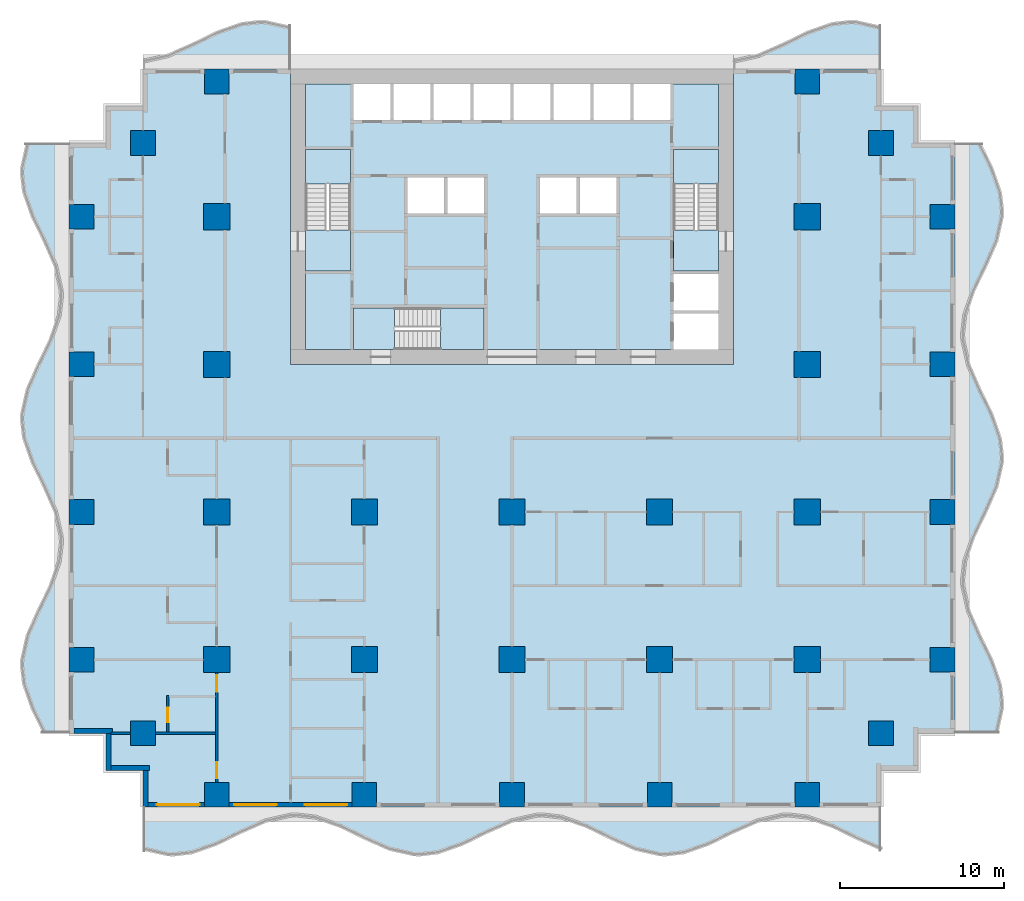
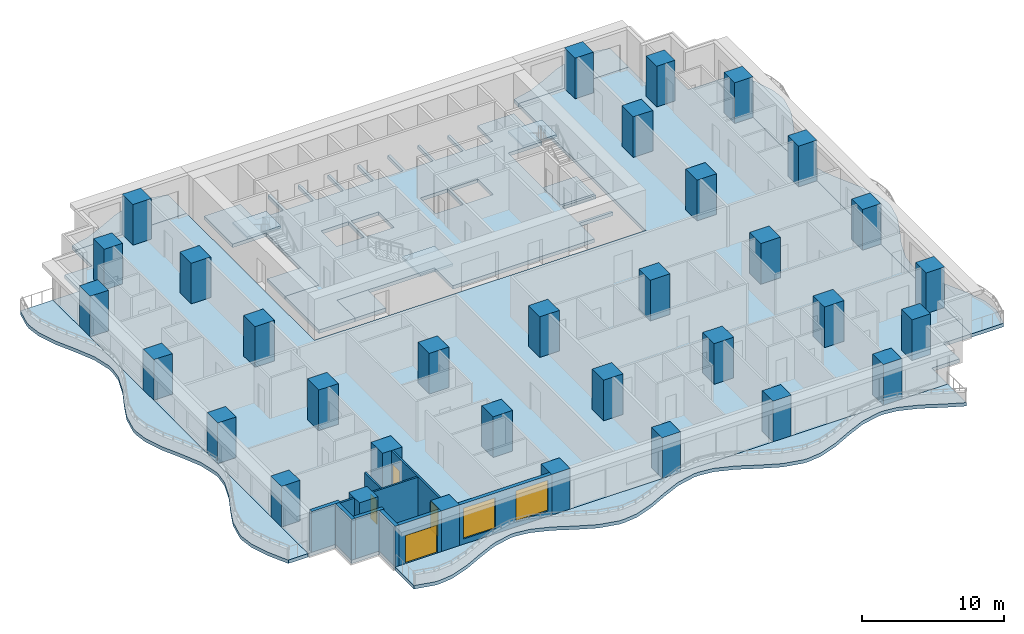
# One storey, part 1 of 14: 33 columns, 13 slabs, 10 walls, 4 doors, 2 windows, 6 openings, 3 elements without a shape of their own.
"""IFC4 building model written with IfcOpenShell, lengths in metres."""

from ifc_helpers import new_model, si_unit, direction, frame, frame_2d, origin, origin_2d, place, context, subcontext, project, spatial, polyline, rectangle, outline, extrude, material, layer, layer_set, material_profile, profile_set, type_object, element, fill, aggregate, save


model = new_model("IFC4")

# Units and contexts
model_context = context("Model", 3, precision=1e-05, world=origin(), true_north=direction((0.0, 1.0)))
body_context = subcontext(model_context, "Body", "Model", "MODEL_VIEW")
ifc_project = project(units=[si_unit("LENGTHUNIT", "METRE"), si_unit("AREAUNIT", "SQUARE_METRE"), si_unit("VOLUMEUNIT", "CUBIC_METRE"), si_unit("PLANEANGLEUNIT", "RADIAN"), si_unit("MASSUNIT", "GRAM", prefix="KILO")], contexts=[model_context])

# Site, building, storey
site_placement = place(None, origin())
site = spatial("IfcSite", under=ifc_project, at=site_placement, CompositionType="ELEMENT")
building_placement = place(site_placement, origin())
building = spatial("IfcBuilding", under=site, at=building_placement, Name="Orbiselva Terraces", CompositionType="ELEMENT")
storey_placement = place(building_placement, frame((0.0, 0.0, 18.8)))
storey = spatial("IfcBuildingStorey", under=building, at=storey_placement, Name="L04", CompositionType="ELEMENT", Elevation=18.8)

# Columns
ifc_material_1 = material(Name="Concrete C80/95", Category="concrete")
ifc_material_profile_1 = material_profile(ifc_material_1, rectangle(XDim=1.6, YDim=1.6, at=origin_2d()), Name="RC 1600x1600")
ifc_profile_set_1 = profile_set([ifc_material_profile_1], Name="Concrete C80/95")
column_type_1 = type_object("IfcColumnType", Name="COLUMN RC 1600x1600", PredefinedType="COLUMN", material=ifc_profile_set_1)
for number, where, z_axis, x_axis, name in (
    (1, (-18.0, -13.5, 0.0), (0.0, 0.0, 1.0), (1.0, 0.0, 0.0), "Column L04-01"),
    (2, (-18.0, -4.5, 0.0), (0.0, 0.0, 1.0), (1.0, 0.0, 0.0), "Column L04-03"),
    (3, (-18.0, 13.5, 0.0), (0.0, 0.0, 1.0), (1.0, 0.0, 0.0), "Column L04-04"),
    (4, (-18.0, 4.5, 0.0), (0.0, 0.0, 1.0), (1.0, 0.0, 0.0), "Column L04-06"),
    (5, (-9.0, -13.5, 0.0), (0.0, 0.0, 1.0), (1.0, 0.0, 0.0), "Column L04-13"),
    (6, (-9.0, -4.5, 0.0), (0.0, 0.0, 1.0), (1.0, 0.0, 0.0), "Column L04-15"),
    (7, (0.0, -13.5, 0.0), (0.0, 0.0, 1.0), (1.0, 0.0, 0.0), "Column L04-16"),
    (8, (0.0, -4.5, 0.0), (0.0, 0.0, 1.0), (1.0, 0.0, 0.0), "Column L04-18"),
    (9, (18.0, -13.5, 0.0), (0.0, 0.0, 1.0), (1.0, 0.0, 0.0), "Column L04-19"),
    (10, (18.0, -4.5, 0.0), (0.0, 0.0, 1.0), (1.0, 0.0, 0.0), "Column L04-21"),
    (11, (18.0, 13.5, 0.0), (0.0, 0.0, 1.0), (1.0, 0.0, 0.0), "Column L04-22"),
    (12, (18.0, 4.5, 0.0), (0.0, 0.0, 1.0), (1.0, 0.0, 0.0), "Column L04-24"),
    (13, (9.0, -13.5, 0.0), (0.0, 0.0, 1.0), (1.0, 0.0, 0.0), "Column L04-31"),
    (14, (9.0, -4.5, 0.0), (0.0, 0.0, 1.0), (1.0, 0.0, 0.0), "Column L04-33"),
):
    element("IfcColumn", number, at=place(storey_placement, frame(where, z_axis=z_axis, x_axis=x_axis)), inside=storey, type_object=column_type_1, Name=name, PredefinedType="COLUMN", context=body_context, shape_type="SweptSolid", body=[
        extrude(rectangle(XDim=1.6, YDim=1.6, at=origin_2d()), origin(), (0.0, 0.0, 1.0), 3.5),
    ])
ifc_material_profile_2 = material_profile(ifc_material_1, rectangle(XDim=1.5, YDim=1.5, at=origin_2d()), Name="RC 1500x1500")
ifc_profile_set_2 = profile_set([ifc_material_profile_2], Name="Concrete C80/95")
column_type_2 = type_object("IfcColumnType", Name="PERIMETER COLUMN RC 1500x1500", PredefinedType="COLUMN", material=ifc_profile_set_2)
for number, where, z_axis, x_axis, name in (
    (15, (-18.0, -21.75, 0.0), (0.0, 0.0, 1.0), (1.0, 0.0, 0.0), "Column L04-02"),
    (16, (-18.0, 21.75, 0.0), (0.0, 0.0, 1.0), (1.0, 0.0, 0.0), "Column L04-05"),
    (17, (-26.25, -13.5, 0.0), (0.0, 0.0, 1.0), (1.0, 0.0, 0.0), "Column L04-07"),
    (18, (-22.5, -18.0, 0.0), (0.0, 0.0, 1.0), (1.0, 0.0, 0.0), "Column L04-08"),
    (19, (-26.25, -4.5, 0.0), (0.0, 0.0, 1.0), (1.0, 0.0, 0.0), "Column L04-09"),
    (20, (-26.25, 13.5, 0.0), (0.0, 0.0, 1.0), (1.0, 0.0, 0.0), "Column L04-10"),
    (21, (-22.5, 18.0, 0.0), (0.0, 0.0, 1.0), (1.0, 0.0, 0.0), "Column L04-11"),
    (22, (-26.25, 4.5, 0.0), (0.0, 0.0, 1.0), (1.0, 0.0, 0.0), "Column L04-12"),
    (23, (-9.0, -21.75, 0.0), (0.0, 0.0, 1.0), (1.0, 0.0, 0.0), "Column L04-14"),
    (24, (0.0, -21.75, 0.0), (0.0, 0.0, 1.0), (1.0, 0.0, 0.0), "Column L04-17"),
    (25, (18.0, -21.75, 0.0), (0.0, 0.0, 1.0), (1.0, 0.0, 0.0), "Column L04-20"),
    (26, (18.0, 21.75, 0.0), (0.0, 0.0, 1.0), (1.0, 0.0, 0.0), "Column L04-23"),
    (27, (26.25, -13.5, 0.0), (0.0, 0.0, 1.0), (1.0, 0.0, 0.0), "Column L04-25"),
    (28, (22.5, -18.0, 0.0), (0.0, 0.0, 1.0), (1.0, 0.0, 0.0), "Column L04-26"),
    (29, (26.25, -4.5, 0.0), (0.0, 0.0, 1.0), (1.0, 0.0, 0.0), "Column L04-27"),
    (30, (26.25, 13.5, 0.0), (0.0, 0.0, 1.0), (1.0, 0.0, 0.0), "Column L04-28"),
    (31, (22.5, 18.0, 0.0), (0.0, 0.0, 1.0), (1.0, 0.0, 0.0), "Column L04-29"),
    (32, (26.25, 4.5, 0.0), (0.0, 0.0, 1.0), (1.0, 0.0, 0.0), "Column L04-30"),
    (33, (9.0, -21.75, 0.0), (0.0, 0.0, 1.0), (1.0, 0.0, 0.0), "Column L04-32"),
):
    element("IfcColumn", number, at=place(storey_placement, frame(where, z_axis=z_axis, x_axis=x_axis)), inside=storey, type_object=column_type_2, Name=name, PredefinedType="COLUMN", context=body_context, shape_type="SweptSolid", body=[
        extrude(rectangle(XDim=1.5, YDim=1.5, at=origin_2d()), origin(), (0.0, 0.0, 1.0), 3.5),
    ])

# Slabs
ifc_material_2 = material(Name="Concrete C40/50", Category="concrete")
ifc_layer_1 = layer(ifc_material_2, 0.3)
ifc_layer_set_1 = layer_set([ifc_layer_1], Name="Concrete C40/50")
slab_type_1 = type_object("IfcSlabType", Name="CORE-SLAB-FLOOR-300", PredefinedType="FLOOR", material=ifc_layer_set_1)
slab_1_placement = place(storey_placement, frame((0.0, 0.0, -0.3)))
element("IfcSlab", 34, at=slab_1_placement, inside=storey, type_object=slab_type_1, Name="L04 S1 floor landing", PredefinedType="FLOOR", context=body_context, shape_type="SweptSolid", body=[
    extrude(outline(polyline([(-12.6, 12.7), (-9.85, 12.7), (-9.85, 10.2), (-12.6, 10.2), (-12.6, 12.7)])), origin(), (0.0, 0.0, 1.0), 0.3),
])
slab_2_placement = place(storey_placement, frame((0.0, 0.0, -0.3)))
element("IfcSlab", 35, at=slab_2_placement, inside=storey, type_object=slab_type_1, Name="L04 S2 floor landing", PredefinedType="FLOOR", context=body_context, shape_type="SweptSolid", body=[
    extrude(outline(polyline([(12.6, 12.7), (12.6, 10.2), (9.85, 10.2), (9.85, 12.7), (12.6, 12.7)])), origin(), (0.0, 0.0, 1.0), 0.3),
])
slab_3_placement = place(storey_placement, frame((0.0, 0.0, -0.3)))
element("IfcSlab", 36, at=slab_3_placement, inside=storey, type_object=slab_type_1, Name="L04 S3 floor landing", PredefinedType="FLOOR", context=body_context, shape_type="SweptSolid", body=[
    extrude(outline(polyline([(-7.15, 5.4), (-9.65, 5.4), (-9.65, 7.95), (-7.15, 7.95), (-7.15, 5.4)])), origin(), (0.0, 0.0, 1.0), 0.3),
])
slab_4_placement = place(storey_placement, frame((0.0, 0.0, -0.3)))
element("IfcSlab", 37, at=slab_4_placement, inside=storey, type_object=slab_type_1, Name="L04 core floor slab 1", PredefinedType="FLOOR", context=body_context, shape_type="SweptSolid", body=[
    extrude(outline(polyline([(-1.7, 5.4), (-1.7, 7.95), (-9.65, 7.95), (-9.65, 5.4), (-12.6, 5.4), (-12.6, 10.2), (-9.85, 10.2), (-9.85, 17.6), (-12.6, 17.6), (-12.6, 21.6), (-9.65, 21.6), (-9.65, 19.4), (-7.4125, 19.4), (-7.4125, 21.6), (-7.2125, 21.6), (-7.2125, 19.4), (-4.975, 19.4), (-4.975, 21.6), (-4.775, 21.6), (-4.775, 19.4), (-2.5375, 19.4), (-2.5375, 21.6), (-2.3375, 21.6), (-2.3375, 19.4), (-0.1, 19.4), (-0.1, 21.6), (0.1, 21.6), (0.1, 19.4), (2.3375, 19.4), (2.3375, 21.6), (2.5375, 21.6), (2.5375, 19.4), (4.775, 19.4), (4.775, 21.6), (4.975, 21.6), (4.975, 19.4), (7.2125, 19.4), (7.2125, 21.6), (7.4125, 21.6), (7.4125, 19.4), (9.65, 19.4), (9.65, 21.6), (12.6, 21.6), (12.6, 17.6), (9.85, 17.6), (9.85, 10.2), (12.6, 10.2), (12.6, 10.0), (9.85, 10.0), (9.85, 7.8), (12.6, 7.8), (12.6, 7.6), (9.85, 7.6), (9.85, 5.4), (-1.7, 5.4)]), holes=[polyline([(-4.1375, 13.7), (-4.1375, 15.9), (-6.375, 15.9), (-6.375, 13.7), (-4.1375, 13.7)]), polyline([(-1.7, 13.7), (-1.7, 15.9), (-3.9375, 15.9), (-3.9375, 13.7), (-1.7, 13.7)]), polyline([(3.9375, 13.7), (3.9375, 15.9), (1.7, 15.9), (1.7, 13.7), (3.9375, 13.7)]), polyline([(6.375, 13.7), (6.375, 15.9), (4.1375, 15.9), (4.1375, 13.7), (6.375, 13.7)])]), origin(), (0.0, 0.0, 1.0), 0.3),
])

# Stair, slab
stair_type_1 = type_object("IfcStairType", Name="CORE-STAIR-1300", PredefinedType="HALF_TURN_STAIR", material=ifc_material_2)
stair_1_placement = place(storey_placement, origin())
stair_1 = element("IfcStair", 38, at=stair_1_placement, inside=storey, type_object=stair_type_1, Name="L04 Exit Stair S1", PredefinedType="HALF_TURN_STAIR")
ifc_layer_2 = layer(ifc_material_2, 0.2)
ifc_layer_set_2 = layer_set([ifc_layer_2], Name="Concrete C40/50")
slab_type_2 = type_object("IfcSlabType", Name="CORE-STAIR-LANDING-200", PredefinedType="LANDING", material=ifc_layer_set_2)
slab_5_placement = place(storey_placement, frame((0.0, 0.0, 1.7)))
slab_5 = element("IfcSlab", 39, at=slab_5_placement, type_object=slab_type_2, Name="S1 landing 1", PredefinedType="LANDING", context=body_context, shape_type="SweptSolid", body=[
    extrude(outline(polyline([(-9.85, 15.5), (-9.85, 17.6), (-12.6, 17.6), (-12.6, 15.5), (-9.85, 15.5)])), origin(), (0.0, 0.0, 1.0), 0.2),
])
aggregate(stair_1, [slab_5])

stair_2_placement = place(storey_placement, origin())
stair_2 = element("IfcStair", 40, at=stair_2_placement, inside=storey, type_object=stair_type_1, Name="L04 Exit Stair S2", PredefinedType="HALF_TURN_STAIR")
slab_6_placement = place(storey_placement, frame((0.0, 0.0, 1.7)))
slab_6 = element("IfcSlab", 41, at=slab_6_placement, type_object=slab_type_2, Name="S2 landing 1", PredefinedType="LANDING", context=body_context, shape_type="SweptSolid", body=[
    extrude(outline(polyline([(12.6, 15.5), (12.6, 17.6), (9.85, 17.6), (9.85, 15.5), (12.6, 15.5)])), origin(), (0.0, 0.0, 1.0), 0.2),
])
aggregate(stair_2, [slab_6])

stair_type_2 = type_object("IfcStairType", Name="CORE-STAIR-1200", PredefinedType="HALF_TURN_STAIR", material=ifc_material_2)
stair_3_placement = place(storey_placement, origin())
stair_3 = element("IfcStair", 42, at=stair_3_placement, inside=storey, type_object=stair_type_2, Name="L04 Exit Stair S3", PredefinedType="HALF_TURN_STAIR")
slab_7_placement = place(storey_placement, frame((0.0, 0.0, 1.7)))
slab_7 = element("IfcSlab", 43, at=slab_7_placement, type_object=slab_type_2, Name="S3 landing 1", PredefinedType="LANDING", context=body_context, shape_type="SweptSolid", body=[
    extrude(outline(polyline([(-4.35, 5.4), (-1.7, 5.4), (-1.7, 7.95), (-4.35, 7.95), (-4.35, 5.4)])), origin(), (0.0, 0.0, 1.0), 0.2),
])
aggregate(stair_3, [slab_7])

# Slabs
ifc_material_3 = material(Name="Concrete C50/60", Category="concrete")
ifc_layer_3 = layer(ifc_material_3, 0.3)
ifc_layer_set_3 = layer_set([ifc_layer_3], Name="Concrete C50/60")
slab_type_3 = type_object("IfcSlabType", Name="ENV-BALCONY-SLAB-300", PredefinedType="FLOOR", material=ifc_layer_set_3)
slab_8_placement = place(storey_placement, frame((0.0, 0.0, -0.3)))
element("IfcSlab", 44, at=slab_8_placement, inside=storey, type_object=slab_type_3, Name="Balcony slab L04 S", PredefinedType="FLOOR", context=body_context, shape_type="SweptSolid", body=[
    extrude(outline(polyline([(-22.5, -25.148528), (-21.0, -25.485226), (-20.625, -25.5), (-19.5, -25.369208), (-18.0, -24.844789), (-16.5, -24.112279), (-15.0, -23.451472), (-13.5, -23.114774), (-13.125, -23.1), (-12.0, -23.230792), (-10.5, -23.755211), (-9.0, -24.487721), (-7.5, -25.148528), (-6.0, -25.485226), (-5.625, -25.5), (-4.5, -25.369208), (-3.0, -24.844789), (-1.5, -24.112279), (0.0, -23.451472), (1.5, -23.114774), (1.875, -23.1), (3.0, -23.230792), (4.5, -23.755211), (6.0, -24.487721), (7.5, -25.148528), (9.0, -25.485226), (9.375, -25.5), (10.5, -25.369208), (12.0, -24.844789), (13.5, -24.112279), (15.0, -23.451472), (16.5, -23.114774), (16.875, -23.1), (18.0, -23.230792), (19.5, -23.755211), (21.0, -24.487721), (22.5, -25.148528), (22.5, -22.5), (-22.5, -22.5), (-22.5, -25.148528)])), origin(), (0.0, 0.0, 1.0), 0.3),
])
slab_9_placement = place(storey_placement, frame((0.0, 0.0, -0.3)))
element("IfcSlab", 45, at=slab_9_placement, inside=storey, type_object=slab_type_3, Name="Balcony slab L04 E", PredefinedType="FLOOR", context=body_context, shape_type="SweptSolid", body=[
    extrude(outline(polyline([(29.648528, -18.0), (29.985226, -16.5), (30.0, -16.125), (29.869208, -15.0), (29.344789, -13.5), (28.612279, -12.0), (27.951472, -10.5), (27.614774, -9.0), (27.6, -8.625), (27.730792, -7.5), (28.255211, -6.0), (28.987721, -4.5), (29.648528, -3.0), (29.985226, -1.5), (30.0, -1.125), (29.869208, 0.0), (29.344789, 1.5), (28.612279, 3.0), (27.951472, 4.5), (27.614774, 6.0), (27.6, 6.375), (27.730792, 7.5), (28.255211, 9.0), (28.987721, 10.5), (29.648528, 12.0), (29.985226, 13.5), (30.0, 13.875), (29.869208, 15.0), (29.344789, 16.5), (28.612279, 18.0), (27.0, 18.0), (27.0, -18.0), (29.648528, -18.0)])), origin(), (0.0, 0.0, 1.0), 0.3),
])
slab_10_placement = place(storey_placement, frame((0.0, 0.0, -0.3)))
element("IfcSlab", 46, at=slab_10_placement, inside=storey, type_object=slab_type_3, Name="Balcony slab L04 NE", PredefinedType="FLOOR", context=body_context, shape_type="SweptSolid", body=[
    extrude(outline(polyline([(22.5, 25.148528), (21.0, 25.485226), (20.625, 25.5), (19.5, 25.369208), (18.0, 24.844789), (16.5, 24.112279), (15.0, 23.451472), (13.5, 23.114774), (13.5, 22.5), (22.5, 22.5), (22.5, 25.148528)])), origin(), (0.0, 0.0, 1.0), 0.3),
])
slab_11_placement = place(storey_placement, frame((0.0, 0.0, -0.3)))
element("IfcSlab", 47, at=slab_11_placement, inside=storey, type_object=slab_type_3, Name="Balcony slab L04 NW", PredefinedType="FLOOR", context=body_context, shape_type="SweptSolid", body=[
    extrude(outline(polyline([(-13.5, 25.148528), (-15.0, 25.485226), (-15.375, 25.5), (-16.5, 25.369208), (-18.0, 24.844789), (-19.5, 24.112279), (-21.0, 23.451472), (-22.5, 23.114774), (-22.5, 22.5), (-13.5, 22.5), (-13.5, 25.148528)])), origin(), (0.0, 0.0, 1.0), 0.3),
])
slab_12_placement = place(storey_placement, frame((0.0, 0.0, -0.3)))
element("IfcSlab", 48, at=slab_12_placement, inside=storey, type_object=slab_type_3, Name="Balcony slab L04 W", PredefinedType="FLOOR", context=body_context, shape_type="SweptSolid", body=[
    extrude(outline(polyline([(-29.648528, 18.0), (-29.985226, 16.5), (-30.0, 16.125), (-29.869208, 15.0), (-29.344789, 13.5), (-28.612279, 12.0), (-27.951472, 10.5), (-27.614774, 9.0), (-27.6, 8.625), (-27.730792, 7.5), (-28.255211, 6.0), (-28.987721, 4.5), (-29.648528, 3.0), (-29.985226, 1.5), (-30.0, 1.125), (-29.869208, 0.0), (-29.344789, -1.5), (-28.612279, -3.0), (-27.951472, -4.5), (-27.614774, -6.0), (-27.6, -6.375), (-27.730792, -7.5), (-28.255211, -9.0), (-28.987721, -10.5), (-29.648528, -12.0), (-29.985226, -13.5), (-30.0, -13.875), (-29.869208, -15.0), (-29.344789, -16.5), (-28.612279, -18.0), (-27.0, -18.0), (-27.0, 18.0), (-29.648528, 18.0)])), origin(), (0.0, 0.0, 1.0), 0.3),
])
ifc_layer_4 = layer(ifc_material_3, 0.3)
ifc_layer_set_4 = layer_set([ifc_layer_4], Name="Concrete C50/60")
slab_type_4 = type_object("IfcSlabType", Name="FLOOR SLAB 300", PredefinedType="FLOOR", material=ifc_layer_set_4)
slab_13_placement = place(storey_placement, frame((0.0, 0.0, -0.3)))
element("IfcSlab", 49, at=slab_13_placement, inside=storey, type_object=slab_type_4, Name="Floor slab L04", PredefinedType="FLOOR", context=body_context, shape_type="SweptSolid", body=[
    extrude(outline(polyline([(22.5, 22.5), (22.5, 20.25), (24.75, 20.25), (24.75, 18.0), (27.0, 18.0), (27.0, -18.0), (24.75, -18.0), (24.75, -20.25), (22.5, -20.25), (22.5, -22.5), (-22.5, -22.5), (-22.5, -20.25), (-24.75, -20.25), (-24.75, -18.0), (-27.0, -18.0), (-27.0, 18.0), (-24.75, 18.0), (-24.75, 20.25), (-22.5, 20.25), (-22.5, 22.5), (-13.5, 22.5), (-13.5, 4.5), (13.5, 4.5), (13.5, 22.5), (22.5, 22.5)])), origin(), (0.0, 0.0, 1.0), 0.3),
])

# Wall, opening, door
ifc_material_4 = material(Name="Terracotta cladding on masonry backing", Category="masonry")
ifc_layer_5 = layer(ifc_material_4, 0.3)
ifc_layer_set_5 = layer_set([ifc_layer_5], Name="Terracotta cladding on masonry backing")
wall_type_1 = type_object("IfcWallType", Name="ENV-WALL-TERRACOTTA-300", PredefinedType="SOLIDWALL", material=ifc_layer_set_5)
wall_1_placement = place(storey_placement, frame((-18.75, -22.35, 0.0), z_axis=(0.0, 0.0, 1.0), x_axis=(-1.0, 0.0, 0.0)))
wall_1 = element("IfcWall", 50, at=wall_1_placement, inside=storey, type_object=wall_type_1, Name="Facade wall L04 S", PredefinedType="SOLIDWALL", context=body_context, shape_type="SweptSolid", body=[
    extrude(rectangle(XDim=3.45, YDim=0.3, at=frame_2d((1.725, 0.0))), origin(), (0.0, 0.0, 1.0), 3.5),
])
opening_1_placement = place(wall_1_placement, frame((0.3, 0.0, 0.0)))
opening_1 = element("IfcOpeningElement", 51, at=opening_1_placement, cuts=wall_1, Name="Opening Z1-A-E01", PredefinedType="OPENING", context=body_context, shape_type="SweptSolid", body=[
    extrude(rectangle(XDim=2.6, YDim=2.4, at=frame_2d((1.3, 1.2))), frame((0.0, 0.16, 0.0), z_axis=(0.0, -1.0, 0.0), x_axis=(1.0, 0.0, 0.0)), (0.0, 0.0, 1.0), 0.32),
])
ifc_material_5 = material(Name="Clear low-e glazing in aluminium frame", Category="aluminium")
door_type_1 = type_object("IfcDoorType", Name="BALCONY DOOR 2600 X 2400", OperationType="DOUBLE_DOOR_SLIDING", PredefinedType="DOOR", material=ifc_material_5)
door_1_placement = place(opening_1_placement, origin())
door_1 = element("IfcDoor", 52, at=door_1_placement, inside=storey, type_object=door_type_1, Name="Z1-A-E01", OperationType="SINGLE_SWING_LEFT", OverallHeight=2.4, OverallWidth=2.6, PredefinedType="DOOR", context=body_context, shape_type="SweptSolid", body=[
    extrude(rectangle(XDim=2.6, YDim=2.4, at=frame_2d((1.3, 1.2))), frame((0.0, 0.025, 0.0), z_axis=(0.0, -1.0, 0.0), x_axis=(1.0, 0.0, 0.0)), (0.0, 0.0, 1.0), 0.05),
])
fill(opening_1, door_1)

# Wall, openings, windows
wall_2_placement = place(storey_placement, frame((-9.75, -22.35, 0.0), z_axis=(0.0, 0.0, 1.0), x_axis=(-1.0, 0.0, 0.0)))
wall_2 = element("IfcWall", 53, at=wall_2_placement, inside=storey, type_object=wall_type_1, Name="Facade wall L04 S", PredefinedType="SOLIDWALL", context=body_context, shape_type="SweptSolid", body=[
    extrude(rectangle(XDim=7.5, YDim=0.3, at=frame_2d((3.75, 0.0))), origin(), (0.0, 0.0, 1.0), 3.5),
])
opening_2_placement = place(wall_2_placement, frame((4.6, 0.0, 0.45)))
opening_2 = element("IfcOpeningElement", 54, at=opening_2_placement, cuts=wall_2, Name="Opening WN1", PredefinedType="OPENING", context=body_context, shape_type="SweptSolid", body=[
    extrude(rectangle(XDim=2.6, YDim=2.65, at=frame_2d((1.3, 1.325))), frame((0.0, 0.16, 0.0), z_axis=(0.0, -1.0, 0.0), x_axis=(1.0, 0.0, 0.0)), (0.0, 0.0, 1.0), 0.32),
])
opening_3_placement = place(wall_2_placement, frame((0.3, 0.0, 0.45)))
opening_3 = element("IfcOpeningElement", 55, at=opening_3_placement, cuts=wall_2, Name="Opening WN1", PredefinedType="OPENING", context=body_context, shape_type="SweptSolid", body=[
    extrude(rectangle(XDim=2.6, YDim=2.65, at=frame_2d((1.3, 1.325))), frame((0.0, 0.16, 0.0), z_axis=(0.0, -1.0, 0.0), x_axis=(1.0, 0.0, 0.0)), (0.0, 0.0, 1.0), 0.32),
])
window_type = type_object("IfcWindowType", Name="WINDOW 2600 X 2650 S450", PartitioningType="TRIPLE_PANEL_VERTICAL", PredefinedType="WINDOW", material=ifc_material_5)
window_1_placement = place(opening_2_placement, origin())
window_1 = element("IfcWindow", 56, at=window_1_placement, inside=storey, type_object=window_type, Name="Window L04 S", OverallHeight=2.65, OverallWidth=2.6, PartitioningType="SINGLE_PANEL", PredefinedType="WINDOW", context=body_context, shape_type="SweptSolid", body=[
    extrude(rectangle(XDim=2.6, YDim=2.65, at=frame_2d((1.3, 1.325))), frame((0.0, 0.03, 0.0), z_axis=(0.0, -1.0, 0.0), x_axis=(1.0, 0.0, 0.0)), (0.0, 0.0, 1.0), 0.06),
])
fill(opening_2, window_1)
window_2_placement = place(opening_3_placement, origin())
window_2 = element("IfcWindow", 57, at=window_2_placement, inside=storey, type_object=window_type, Name="Window L04 S", OverallHeight=2.65, OverallWidth=2.6, PartitioningType="SINGLE_PANEL", PredefinedType="WINDOW", context=body_context, shape_type="SweptSolid", body=[
    extrude(rectangle(XDim=2.6, YDim=2.65, at=frame_2d((1.3, 1.325))), frame((0.0, 0.03, 0.0), z_axis=(0.0, -1.0, 0.0), x_axis=(1.0, 0.0, 0.0)), (0.0, 0.0, 1.0), 0.06),
])
fill(opening_3, window_2)

# Walls
wall_3_placement = place(storey_placement, frame((-24.35, -17.85, 0.0), z_axis=(0.0, 0.0, 1.0), x_axis=(-1.0, 0.0, 0.0)))
element("IfcWall", 58, at=wall_3_placement, inside=storey, type_object=wall_type_1, Name="Facade wall L04 STEP", PredefinedType="SOLIDWALL", context=body_context, shape_type="SweptSolid", body=[
    extrude(rectangle(XDim=2.35, YDim=0.3, at=frame_2d((1.175, 0.0))), origin(), (0.0, 0.0, 1.0), 3.5),
])
wall_4_placement = place(storey_placement, frame((-24.6, -20.25, 0.0), z_axis=(0.0, 0.0, 1.0), x_axis=(0.0, 1.0, 0.0)))
element("IfcWall", 59, at=wall_4_placement, inside=storey, type_object=wall_type_1, Name="Facade wall L04 STEP", PredefinedType="SOLIDWALL", context=body_context, shape_type="SweptSolid", body=[
    extrude(rectangle(XDim=2.25, YDim=0.3, at=frame_2d((1.125, 0.0))), origin(), (0.0, 0.0, 1.0), 3.5),
])
wall_5_placement = place(storey_placement, frame((-22.1, -20.1, 0.0), z_axis=(0.0, 0.0, 1.0), x_axis=(-1.0, 0.0, 0.0)))
element("IfcWall", 60, at=wall_5_placement, inside=storey, type_object=wall_type_1, Name="Facade wall L04 STEP", PredefinedType="SOLIDWALL", context=body_context, shape_type="SweptSolid", body=[
    extrude(rectangle(XDim=2.35, YDim=0.3, at=frame_2d((1.175, 0.0))), origin(), (0.0, 0.0, 1.0), 3.5),
])
wall_6_placement = place(storey_placement, frame((-22.35, -22.5, 0.0), z_axis=(0.0, 0.0, 1.0), x_axis=(0.0, 1.0, 0.0)))
element("IfcWall", 61, at=wall_6_placement, inside=storey, type_object=wall_type_1, Name="Facade wall L04 STEP", PredefinedType="SOLIDWALL", context=body_context, shape_type="SweptSolid", body=[
    extrude(rectangle(XDim=2.25, YDim=0.3, at=frame_2d((1.125, 0.0))), origin(), (0.0, 0.0, 1.0), 3.5),
])
ifc_material_6 = material(Name="Plasterboard on steel stud partition", Category="steel")
ifc_layer_6 = layer(ifc_material_6, 0.15)
ifc_layer_set_6 = layer_set([ifc_layer_6], Name="Plasterboard on steel stud partition")
wall_type_2 = type_object("IfcWallType", Name="UNIT-PARTITION-150", PredefinedType="PARTITIONING", material=ifc_layer_set_6)
wall_7_placement = place(storey_placement, frame((-24.45, -18.0, 0.0), z_axis=(0.0, 0.0, 1.0), x_axis=(1.0, 0.0, 0.0)))
element("IfcWall", 62, at=wall_7_placement, inside=storey, type_object=wall_type_2, Name="PARTITION L04-002", PredefinedType="PARTITIONING", context=body_context, shape_type="SweptSolid", body=[
    extrude(rectangle(XDim=1.2, YDim=0.15, at=frame_2d((0.6, 0.0))), origin(), (0.0, 0.0, 1.0), 3.5),
])
wall_8_placement = place(storey_placement, frame((-21.75, -18.0, 0.0), z_axis=(0.0, 0.0, 1.0), x_axis=(1.0, 0.0, 0.0)))
element("IfcWall", 63, at=wall_8_placement, inside=storey, type_object=wall_type_2, Name="PARTITION L04-003", PredefinedType="PARTITIONING", context=body_context, shape_type="SweptSolid", body=[
    extrude(rectangle(XDim=3.675, YDim=0.15, at=frame_2d((1.8375, 0.0))), origin(), (0.0, 0.0, 1.0), 3.5),
])

# Wall, opening, door
wall_9_placement = place(storey_placement, frame((-21.0, -15.675, 0.0), z_axis=(0.0, 0.0, 1.0), x_axis=(0.0, -1.0, 0.0)))
wall_9 = element("IfcWall", 64, at=wall_9_placement, inside=storey, type_object=wall_type_2, Name="PARTITION L04-051", PredefinedType="PARTITIONING", context=body_context, shape_type="SweptSolid", body=[
    extrude(rectangle(XDim=2.25, YDim=0.15, at=frame_2d((1.125, 0.0))), origin(), (0.0, 0.0, 1.0), 3.5),
])
opening_4_placement = place(wall_9_placement, frame((0.75, 0.0, 0.0)))
opening_4 = element("IfcOpeningElement", 65, at=opening_4_placement, cuts=wall_9, Name="Opening Z1-A-30", PredefinedType="OPENING", context=body_context, shape_type="SweptSolid", body=[
    extrude(rectangle(XDim=0.9, YDim=2.1, at=frame_2d((0.45, 1.05))), frame((0.0, 0.085, 0.0), z_axis=(0.0, -1.0, 0.0), x_axis=(1.0, 0.0, 0.0)), (0.0, 0.0, 1.0), 0.17),
])
ifc_material_7 = material(Name="Painted timber door leaf", Category="wood")
door_type_2 = type_object("IfcDoorType", Name="BATH DOOR 900", OperationType="NOTDEFINED", PredefinedType="DOOR", material=ifc_material_7)
door_2_placement = place(opening_4_placement, origin())
door_2 = element("IfcDoor", 66, at=door_2_placement, inside=storey, type_object=door_type_2, Name="Z1-A-30", OperationType="SINGLE_SWING_RIGHT", OverallHeight=2.1, OverallWidth=0.9, PredefinedType="DOOR", context=body_context, shape_type="SweptSolid", body=[
    extrude(rectangle(XDim=0.9, YDim=2.1, at=frame_2d((0.45, 1.05))), frame((0.0, 0.025, 0.0), z_axis=(0.0, -1.0, 0.0), x_axis=(1.0, 0.0, 0.0)), (0.0, 0.0, 1.0), 0.05),
])
fill(opening_4, door_2)

# Wall, openings, doors
wall_10_placement = place(storey_placement, frame((-18.0, -21.0, 0.0), z_axis=(0.0, 0.0, 1.0), x_axis=(0.0, 1.0, 0.0)))
wall_10 = element("IfcWall", 67, at=wall_10_placement, inside=storey, type_object=wall_type_2, Name="PARTITION L04-054", PredefinedType="PARTITIONING", context=body_context, shape_type="SweptSolid", body=[
    extrude(rectangle(XDim=6.7, YDim=0.15, at=frame_2d((3.35, 0.0))), origin(), (0.0, 0.0, 1.0), 3.5),
])
opening_5_placement = place(wall_10_placement, frame((5.55, 0.0, 0.0)))
opening_5 = element("IfcOpeningElement", 68, at=opening_5_placement, cuts=wall_10, Name="Opening Z1-A-29", PredefinedType="OPENING", context=body_context, shape_type="SweptSolid", body=[
    extrude(rectangle(XDim=1.0, YDim=2.4, at=frame_2d((0.5, 1.2))), frame((0.0, 0.085, 0.0), z_axis=(0.0, -1.0, 0.0), x_axis=(1.0, 0.0, 0.0)), (0.0, 0.0, 1.0), 0.17),
])
opening_6_placement = place(wall_10_placement, frame((0.25, 0.0, 0.0)))
opening_6 = element("IfcOpeningElement", 69, at=opening_6_placement, cuts=wall_10, Name="Opening Z1-A-31", PredefinedType="OPENING", context=body_context, shape_type="SweptSolid", body=[
    extrude(rectangle(XDim=1.0, YDim=2.4, at=frame_2d((0.5, 1.2))), frame((0.0, 0.085, 0.0), z_axis=(0.0, -1.0, 0.0), x_axis=(1.0, 0.0, 0.0)), (0.0, 0.0, 1.0), 0.17),
])
door_type_3 = type_object("IfcDoorType", Name="ROOM DOOR 1000", OperationType="NOTDEFINED", PredefinedType="DOOR", material=ifc_material_7)
door_3_placement = place(opening_5_placement, origin())
door_3 = element("IfcDoor", 70, at=door_3_placement, inside=storey, type_object=door_type_3, Name="Z1-A-29", OperationType="SINGLE_SWING_RIGHT", OverallHeight=2.4, OverallWidth=1.0, PredefinedType="DOOR", context=body_context, shape_type="SweptSolid", body=[
    extrude(rectangle(XDim=1.0, YDim=2.4, at=frame_2d((0.5, 1.2))), frame((0.0, 0.025, 0.0), z_axis=(0.0, -1.0, 0.0), x_axis=(1.0, 0.0, 0.0)), (0.0, 0.0, 1.0), 0.05),
])
fill(opening_5, door_3)
door_4_placement = place(opening_6_placement, origin())
door_4 = element("IfcDoor", 71, at=door_4_placement, inside=storey, type_object=door_type_3, Name="Z1-A-31", OperationType="SINGLE_SWING_LEFT", OverallHeight=2.4, OverallWidth=1.0, PredefinedType="DOOR", context=body_context, shape_type="SweptSolid", body=[
    extrude(rectangle(XDim=1.0, YDim=2.4, at=frame_2d((0.5, 1.2))), frame((0.0, 0.025, 0.0), z_axis=(0.0, -1.0, 0.0), x_axis=(1.0, 0.0, 0.0)), (0.0, 0.0, 1.0), 0.05),
])
fill(opening_6, door_4)

save(model, "model.ifc")
